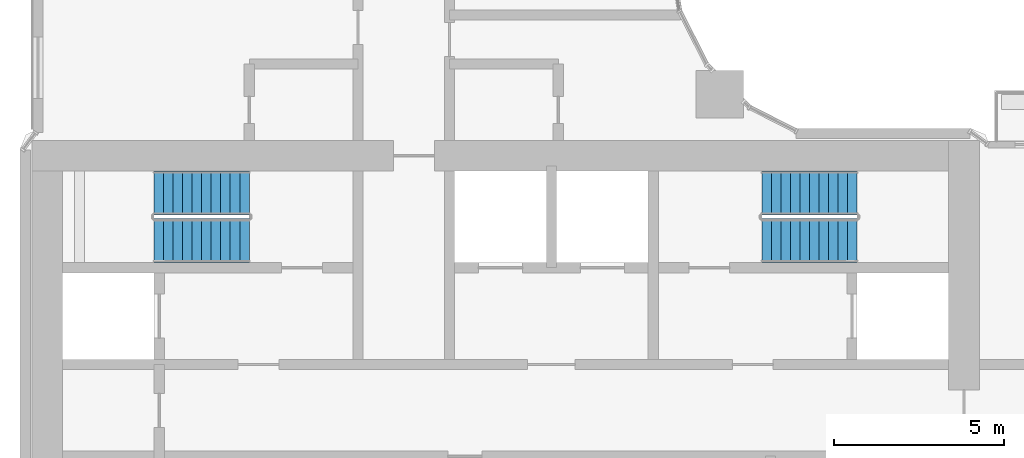
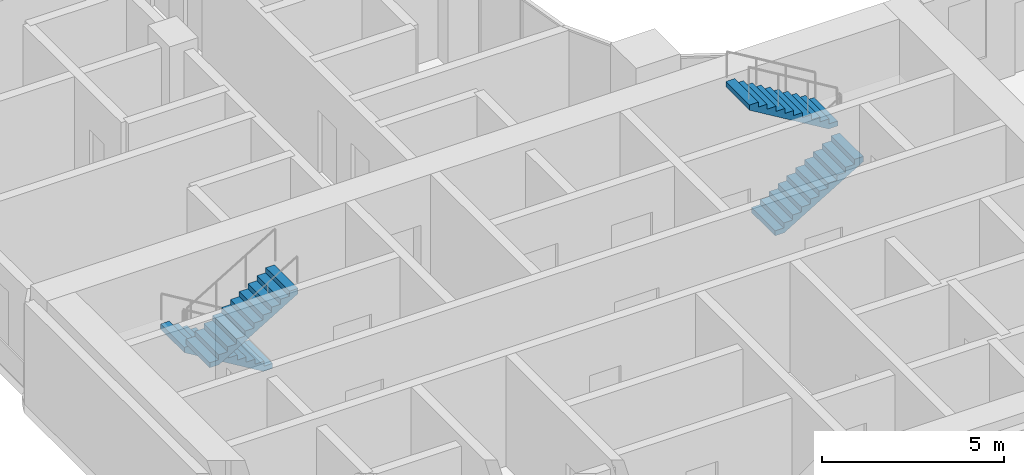
# One storey, part 22 of 30: 4 stair flights, 2 elements without a shape of their own.
"""IFC4 building model written with IfcOpenShell, lengths in metres."""

from ifc_helpers import new_model, si_unit, direction, frame, origin, place, context, subcontext, project, spatial, triangles, source, transform, mapped, material, type_object, element, aggregate, save


model = new_model("IFC4")

# Units and contexts
model_context = context("Model", 3, precision=1e-05, world=origin(), true_north=direction((0.0, 1.0)))
body_context = subcontext(model_context, "Body", "Model", "MODEL_VIEW")
ifc_project = project(units=[si_unit("LENGTHUNIT", "METRE"), si_unit("AREAUNIT", "SQUARE_METRE"), si_unit("VOLUMEUNIT", "CUBIC_METRE"), si_unit("PLANEANGLEUNIT", "RADIAN"), si_unit("MASSUNIT", "GRAM", prefix="KILO")], contexts=[model_context])

# Site, building, storey
site_placement = place(None, origin())
site = spatial("IfcSite", under=ifc_project, at=site_placement, CompositionType="ELEMENT")
building_placement = place(site_placement, origin())
building = spatial("IfcBuilding", under=site, at=building_placement, Name="Ogive Portal Towers", CompositionType="ELEMENT")
storey_placement = place(building_placement, frame((0.0, 0.0, 37.199951171875)))
storey = spatial("IfcBuildingStorey", under=building, at=storey_placement, Name="L07", CompositionType="ELEMENT", Elevation=37.199951171875)

# Stair, stair flights
ifc_material = material(Name="Concrete C40/50", Category="concrete")
stair_type = type_object("IfcStairType", Name="INT-STAIR", PredefinedType="HALF_TURN_STAIR", material=ifc_material)
stair_1_placement = place(storey_placement, origin())
stair_1 = element("IfcStair", 1, at=stair_1_placement, inside=storey, type_object=stair_type, Name="L07 Exit Stair ST-A1", PredefinedType="HALF_TURN_STAIR")
stair_flight_type = type_object("IfcStairFlightType", Name="INT-FLIGHT", PredefinedType="STRAIGHT", material=ifc_material)
shared_shape = source(origin(), body_context, "Body", "Tessellation", [
    triangles([(0.0, -0.650146484375, 0.0), (0.0, -0.376220703125, 0.0), (0.0, -0.192626953125, 0.0), (0.0, -0.081298828125, 0.0), (0.0, -0.024169921875, 0.0), (0.0, -0.003173828125, 0.0), (0.0, 0.0, 0.0), (0.0, 0.0029296875, 0.0), (0.0, 0.02392578125, 0.0), (0.0, 0.0810546875, 0.0), (0.0, 0.1923828125, 0.0), (0.0, 0.3759765625, 0.0), (0.0, 0.64990234375, 0.0), (0.0, -0.650146484375, 0.168212890625), (0.0, -0.376220703125, 0.168212890625), (0.0, -0.192626953125, 0.168212890625), (0.0, -0.081298828125, 0.168212890625), (0.0, -0.024169921875, 0.168212890625), (0.0, -0.003173828125, 0.168212890625), (0.0, 0.0, 0.168212890625), (0.0, 0.0029296875, 0.168212890625), (0.0, 0.02392578125, 0.168212890625), (0.0, 0.0810546875, 0.168212890625), (0.0, 0.1923828125, 0.168212890625), (0.0, 0.3759765625, 0.168212890625), (0.0, 0.64990234375, 0.168212890625), (0.280029296875, -0.650146484375, 0.168212890625), (0.280029296875, -0.376220703125, 0.168212890625), (0.280029296875, -0.192626953125, 0.168212890625), (0.280029296875, -0.081298828125, 0.168212890625), (0.280029296875, -0.024169921875, 0.168212890625), (0.280029296875, -0.003173828125, 0.168212890625), (0.280029296875, 0.0, 0.168212890625), (0.280029296875, 0.0029296875, 0.168212890625), (0.280029296875, 0.02392578125, 0.168212890625), (0.280029296875, 0.0810546875, 0.168212890625), (0.280029296875, 0.1923828125, 0.168212890625), (0.280029296875, 0.3759765625, 0.168212890625), (0.280029296875, 0.64990234375, 0.168212890625), (0.280029296875, -0.650146484375, 0.33642578125), (0.280029296875, -0.376220703125, 0.33642578125), (0.280029296875, -0.192626953125, 0.33642578125), (0.280029296875, -0.081298828125, 0.33642578125), (0.280029296875, -0.024169921875, 0.33642578125), (0.280029296875, -0.003173828125, 0.33642578125), (0.280029296875, 0.0, 0.33642578125), (0.280029296875, 0.0029296875, 0.33642578125), (0.280029296875, 0.02392578125, 0.33642578125), (0.280029296875, 0.0810546875, 0.33642578125), (0.280029296875, 0.1923828125, 0.33642578125), (0.280029296875, 0.3759765625, 0.33642578125), (0.280029296875, 0.64990234375, 0.33642578125), (0.56005859375, -0.650146484375, 0.33642578125), (0.56005859375, -0.376220703125, 0.33642578125), (0.56005859375, -0.192626953125, 0.33642578125), (0.56005859375, -0.081298828125, 0.33642578125), (0.56005859375, -0.024169921875, 0.33642578125), (0.56005859375, -0.003173828125, 0.33642578125), (0.56005859375, 0.0, 0.33642578125), (0.56005859375, 0.0029296875, 0.33642578125), (0.56005859375, 0.02392578125, 0.33642578125), (0.56005859375, 0.0810546875, 0.33642578125), (0.56005859375, 0.1923828125, 0.33642578125), (0.56005859375, 0.3759765625, 0.33642578125), (0.56005859375, 0.64990234375, 0.33642578125), (0.56005859375, -0.650146484375, 0.504638671875), (0.56005859375, -0.376220703125, 0.504638671875), (0.56005859375, -0.192626953125, 0.504638671875), (0.56005859375, -0.081298828125, 0.504638671875), (0.56005859375, -0.024169921875, 0.504638671875), (0.56005859375, -0.003173828125, 0.504638671875), (0.56005859375, 0.0, 0.504638671875), (0.56005859375, 0.0029296875, 0.504638671875), (0.56005859375, 0.02392578125, 0.504638671875), (0.56005859375, 0.0810546875, 0.504638671875), (0.56005859375, 0.1923828125, 0.504638671875), (0.56005859375, 0.3759765625, 0.504638671875), (0.56005859375, 0.64990234375, 0.504638671875), (0.840087890625, -0.650146484375, 0.504638671875), (0.840087890625, -0.376220703125, 0.504638671875), (0.840087890625, -0.192626953125, 0.504638671875), (0.840087890625, -0.081298828125, 0.504638671875), (0.840087890625, -0.024169921875, 0.504638671875), (0.840087890625, -0.003173828125, 0.504638671875), (0.840087890625, 0.0, 0.504638671875), (0.840087890625, 0.0029296875, 0.504638671875), (0.840087890625, 0.02392578125, 0.504638671875), (0.840087890625, 0.0810546875, 0.504638671875), (0.840087890625, 0.1923828125, 0.504638671875), (0.840087890625, 0.3759765625, 0.504638671875), (0.840087890625, 0.64990234375, 0.504638671875), (0.840087890625, -0.650146484375, 0.672607421875), (0.840087890625, -0.376220703125, 0.672607421875), (0.840087890625, -0.192626953125, 0.672607421875), (0.840087890625, -0.081298828125, 0.672607421875), (0.840087890625, -0.024169921875, 0.672607421875), (0.840087890625, -0.003173828125, 0.672607421875), (0.840087890625, 0.0, 0.672607421875), (0.840087890625, 0.0029296875, 0.672607421875), (0.840087890625, 0.02392578125, 0.672607421875), (0.840087890625, 0.0810546875, 0.672607421875), (0.840087890625, 0.1923828125, 0.672607421875), (0.840087890625, 0.3759765625, 0.672607421875), (0.840087890625, 0.64990234375, 0.672607421875), (1.1201171875, -0.650146484375, 0.672607421875), (1.1201171875, -0.376220703125, 0.672607421875), (1.1201171875, -0.192626953125, 0.672607421875), (1.1201171875, -0.081298828125, 0.672607421875), (1.1201171875, -0.024169921875, 0.672607421875), (1.1201171875, -0.003173828125, 0.672607421875), (1.1201171875, 0.0, 0.672607421875), (1.1201171875, 0.0029296875, 0.672607421875), (1.1201171875, 0.02392578125, 0.672607421875), (1.1201171875, 0.0810546875, 0.672607421875), (1.1201171875, 0.1923828125, 0.672607421875), (1.1201171875, 0.3759765625, 0.672607421875), (1.1201171875, 0.64990234375, 0.672607421875), (1.1201171875, -0.650146484375, 0.8408203125), (1.1201171875, -0.376220703125, 0.8408203125), (1.1201171875, -0.192626953125, 0.8408203125), (1.1201171875, -0.081298828125, 0.8408203125), (1.1201171875, -0.024169921875, 0.8408203125), (1.1201171875, -0.003173828125, 0.8408203125), (1.1201171875, 0.0, 0.8408203125), (1.1201171875, 0.0029296875, 0.8408203125), (1.1201171875, 0.02392578125, 0.8408203125), (1.1201171875, 0.0810546875, 0.8408203125), (1.1201171875, 0.1923828125, 0.8408203125), (1.1201171875, 0.3759765625, 0.8408203125), (1.1201171875, 0.64990234375, 0.8408203125), (1.39990234375, -0.650146484375, 0.8408203125), (1.39990234375, -0.376220703125, 0.8408203125), (1.39990234375, -0.192626953125, 0.8408203125), (1.39990234375, -0.081298828125, 0.8408203125), (1.39990234375, -0.024169921875, 0.8408203125), (1.39990234375, -0.003173828125, 0.8408203125), (1.39990234375, 0.0, 0.8408203125), (1.39990234375, 0.0029296875, 0.8408203125), (1.39990234375, 0.02392578125, 0.8408203125), (1.39990234375, 0.0810546875, 0.8408203125), (1.39990234375, 0.1923828125, 0.8408203125), (1.39990234375, 0.3759765625, 0.8408203125), (1.39990234375, 0.64990234375, 0.8408203125), (1.39990234375, -0.650146484375, 1.009033203125), (1.39990234375, -0.376220703125, 1.009033203125), (1.39990234375, -0.192626953125, 1.009033203125), (1.39990234375, -0.081298828125, 1.009033203125), (1.39990234375, -0.024169921875, 1.009033203125), (1.39990234375, -0.003173828125, 1.009033203125), (1.39990234375, 0.0, 1.009033203125), (1.39990234375, 0.0029296875, 1.009033203125), (1.39990234375, 0.02392578125, 1.009033203125), (1.39990234375, 0.0810546875, 1.009033203125), (1.39990234375, 0.1923828125, 1.009033203125), (1.39990234375, 0.3759765625, 1.009033203125), (1.39990234375, 0.64990234375, 1.009033203125), (1.679931640625, -0.650146484375, 1.009033203125), (1.679931640625, -0.376220703125, 1.009033203125), (1.679931640625, -0.192626953125, 1.009033203125), (1.679931640625, -0.081298828125, 1.009033203125), (1.679931640625, -0.024169921875, 1.009033203125), (1.679931640625, -0.003173828125, 1.009033203125), (1.679931640625, 0.0, 1.009033203125), (1.679931640625, 0.0029296875, 1.009033203125), (1.679931640625, 0.02392578125, 1.009033203125), (1.679931640625, 0.0810546875, 1.009033203125), (1.679931640625, 0.1923828125, 1.009033203125), (1.679931640625, 0.3759765625, 1.009033203125), (1.679931640625, 0.64990234375, 1.009033203125), (1.679931640625, -0.650146484375, 1.17724609375), (1.679931640625, -0.376220703125, 1.17724609375), (1.679931640625, -0.192626953125, 1.17724609375), (1.679931640625, -0.081298828125, 1.17724609375), (1.679931640625, -0.024169921875, 1.17724609375), (1.679931640625, -0.003173828125, 1.17724609375), (1.679931640625, 0.0, 1.17724609375), (1.679931640625, 0.0029296875, 1.17724609375), (1.679931640625, 0.02392578125, 1.17724609375), (1.679931640625, 0.0810546875, 1.17724609375), (1.679931640625, 0.1923828125, 1.17724609375), (1.679931640625, 0.3759765625, 1.17724609375), (1.679931640625, 0.64990234375, 1.17724609375), (1.9599609375, -0.650146484375, 1.17724609375), (1.9599609375, -0.376220703125, 1.17724609375), (1.9599609375, -0.192626953125, 1.17724609375), (1.9599609375, -0.081298828125, 1.17724609375), (1.9599609375, -0.024169921875, 1.17724609375), (1.9599609375, -0.003173828125, 1.17724609375), (1.9599609375, 0.0, 1.17724609375), (1.9599609375, 0.0029296875, 1.17724609375), (1.9599609375, 0.02392578125, 1.17724609375), (1.9599609375, 0.0810546875, 1.17724609375), (1.9599609375, 0.1923828125, 1.17724609375), (1.9599609375, 0.3759765625, 1.17724609375), (1.9599609375, 0.64990234375, 1.17724609375), (1.9599609375, -0.650146484375, 1.345458984375), (1.9599609375, -0.376220703125, 1.345458984375), (1.9599609375, -0.192626953125, 1.345458984375), (1.9599609375, -0.081298828125, 1.345458984375), (1.9599609375, -0.024169921875, 1.345458984375), (1.9599609375, -0.003173828125, 1.345458984375), (1.9599609375, 0.0, 1.345458984375), (1.9599609375, 0.0029296875, 1.345458984375), (1.9599609375, 0.02392578125, 1.345458984375), (1.9599609375, 0.0810546875, 1.345458984375), (1.9599609375, 0.1923828125, 1.345458984375), (1.9599609375, 0.3759765625, 1.345458984375), (1.9599609375, 0.64990234375, 1.345458984375), (2.239990234375, -0.650146484375, 1.345458984375), (2.239990234375, -0.376220703125, 1.345458984375), (2.239990234375, -0.192626953125, 1.345458984375), (2.239990234375, -0.081298828125, 1.345458984375), (2.239990234375, -0.024169921875, 1.345458984375), (2.239990234375, -0.003173828125, 1.345458984375), (2.239990234375, 0.0, 1.345458984375), (2.239990234375, 0.0029296875, 1.345458984375), (2.239990234375, 0.02392578125, 1.345458984375), (2.239990234375, 0.0810546875, 1.345458984375), (2.239990234375, 0.1923828125, 1.345458984375), (2.239990234375, 0.3759765625, 1.345458984375), (2.239990234375, 0.64990234375, 1.345458984375), (2.239990234375, -0.650146484375, 1.513671875), (2.239990234375, -0.376220703125, 1.513671875), (2.239990234375, -0.192626953125, 1.513671875), (2.239990234375, -0.081298828125, 1.513671875), (2.239990234375, -0.024169921875, 1.513671875), (2.239990234375, -0.003173828125, 1.513671875), (2.239990234375, 0.0, 1.513671875), (2.239990234375, 0.0029296875, 1.513671875), (2.239990234375, 0.02392578125, 1.513671875), (2.239990234375, 0.0810546875, 1.513671875), (2.239990234375, 0.1923828125, 1.513671875), (2.239990234375, 0.3759765625, 1.513671875), (2.239990234375, 0.64990234375, 1.513671875), (2.52001953125, -0.650146484375, 1.513671875), (2.52001953125, -0.376220703125, 1.513671875), (2.52001953125, -0.192626953125, 1.513671875), (2.52001953125, -0.081298828125, 1.513671875), (2.52001953125, -0.024169921875, 1.513671875), (2.52001953125, -0.003173828125, 1.513671875), (2.52001953125, 0.0, 1.513671875), (2.52001953125, 0.0029296875, 1.513671875), (2.52001953125, 0.02392578125, 1.513671875), (2.52001953125, 0.0810546875, 1.513671875), (2.52001953125, 0.1923828125, 1.513671875), (2.52001953125, 0.3759765625, 1.513671875), (2.52001953125, 0.64990234375, 1.513671875), (2.52001953125, -0.650146484375, 1.681884765625), (2.52001953125, -0.376220703125, 1.681884765625), (2.52001953125, -0.192626953125, 1.681884765625), (2.52001953125, -0.081298828125, 1.681884765625), (2.52001953125, -0.024169921875, 1.681884765625), (2.52001953125, -0.003173828125, 1.681884765625), (2.52001953125, 0.0, 1.681884765625), (2.52001953125, 0.0029296875, 1.681884765625), (2.52001953125, 0.02392578125, 1.681884765625), (2.52001953125, 0.0810546875, 1.681884765625), (2.52001953125, 0.1923828125, 1.681884765625), (2.52001953125, 0.3759765625, 1.681884765625), (2.52001953125, 0.64990234375, 1.681884765625), (2.800048828125, -0.650146484375, 1.681884765625), (2.800048828125, -0.376220703125, 1.681884765625), (2.800048828125, -0.192626953125, 1.681884765625), (2.800048828125, -0.081298828125, 1.681884765625), (2.800048828125, -0.024169921875, 1.681884765625), (2.800048828125, -0.003173828125, 1.681884765625), (2.800048828125, 0.0, 1.681884765625), (2.800048828125, 0.0029296875, 1.681884765625), (2.800048828125, 0.02392578125, 1.681884765625), (2.800048828125, 0.0810546875, 1.681884765625), (2.800048828125, 0.1923828125, 1.681884765625), (2.800048828125, 0.3759765625, 1.681884765625), (2.800048828125, 0.64990234375, 1.681884765625), (2.800048828125, -0.650146484375, 1.5068359375), (2.800048828125, -0.376220703125, 1.5068359375), (2.800048828125, -0.192626953125, 1.5068359375), (2.800048828125, -0.081298828125, 1.5068359375), (2.800048828125, -0.024169921875, 1.5068359375), (2.800048828125, -0.003173828125, 1.5068359375), (2.800048828125, 0.0, 1.5068359375), (2.800048828125, 0.0029296875, 1.5068359375), (2.800048828125, 0.02392578125, 1.5068359375), (2.800048828125, 0.0810546875, 1.5068359375), (2.800048828125, 0.1923828125, 1.5068359375), (2.800048828125, 0.3759765625, 1.5068359375), (2.800048828125, 0.64990234375, 1.5068359375), (0.291015625, -0.650146484375, 0.0), (0.291015625, -0.376220703125, 0.0), (0.291015625, -0.192626953125, 0.0), (0.291015625, -0.081298828125, 0.0), (0.291015625, -0.024169921875, 0.0), (0.291015625, -0.003173828125, 0.0), (0.291015625, 0.0, 0.0), (0.291015625, 0.0029296875, 0.0), (0.291015625, 0.02392578125, 0.0), (0.291015625, 0.0810546875, 0.0), (0.291015625, 0.1923828125, 0.0), (0.291015625, 0.3759765625, 0.0), (0.291015625, 0.64990234375, 0.0)], [[1, 14, 15], [1, 15, 2], [2, 15, 16], [2, 16, 3], [3, 16, 17], [3, 17, 4], [4, 17, 18], [4, 18, 5], [5, 18, 19], [5, 19, 6], [6, 19, 20], [6, 20, 7], [7, 20, 21], [7, 21, 8], [8, 21, 22], [8, 22, 9], [9, 22, 23], [9, 23, 10], [10, 23, 24], [10, 24, 11], [11, 24, 25], [11, 25, 12], [12, 25, 26], [12, 26, 13], [14, 27, 28], [14, 28, 15], [15, 28, 29], [15, 29, 16], [16, 29, 30], [16, 30, 17], [17, 30, 31], [17, 31, 18], [18, 31, 32], [18, 32, 19], [19, 32, 33], [19, 33, 20], [20, 33, 34], [20, 34, 21], [21, 34, 35], [21, 35, 22], [22, 35, 36], [22, 36, 23], [23, 36, 37], [23, 37, 24], [24, 37, 38], [24, 38, 25], [25, 38, 39], [25, 39, 26], [27, 40, 41], [27, 41, 28], [28, 41, 42], [28, 42, 29], [29, 42, 43], [29, 43, 30], [30, 43, 44], [30, 44, 31], [31, 44, 45], [31, 45, 32], [32, 45, 46], [32, 46, 33], [33, 46, 47], [33, 47, 34], [34, 47, 48], [34, 48, 35], [35, 48, 49], [35, 49, 36], [36, 49, 50], [36, 50, 37], [37, 50, 51], [37, 51, 38], [38, 51, 52], [38, 52, 39], [40, 53, 54], [40, 54, 41], [41, 54, 55], [41, 55, 42], [42, 55, 56], [42, 56, 43], [43, 56, 57], [43, 57, 44], [44, 57, 58], [44, 58, 45], [45, 58, 59], [45, 59, 46], [46, 59, 60], [46, 60, 47], [47, 60, 61], [47, 61, 48], [48, 61, 62], [48, 62, 49], [49, 62, 63], [49, 63, 50], [50, 63, 64], [50, 64, 51], [51, 64, 65], [51, 65, 52], [53, 66, 67], [53, 67, 54], [54, 67, 68], [54, 68, 55], [55, 68, 69], [55, 69, 56], [56, 69, 70], [56, 70, 57], [57, 70, 71], [57, 71, 58], [58, 71, 72], [58, 72, 59], [59, 72, 73], [59, 73, 60], [60, 73, 74], [60, 74, 61], [61, 74, 75], [61, 75, 62], [62, 75, 76], [62, 76, 63], [63, 76, 77], [63, 77, 64], [64, 77, 78], [64, 78, 65], [66, 79, 80], [66, 80, 67], [67, 80, 81], [67, 81, 68], [68, 81, 82], [68, 82, 69], [69, 82, 83], [69, 83, 70], [70, 83, 84], [70, 84, 71], [71, 84, 85], [71, 85, 72], [72, 85, 86], [72, 86, 73], [73, 86, 87], [73, 87, 74], [74, 87, 88], [74, 88, 75], [75, 88, 89], [75, 89, 76], [76, 89, 90], [76, 90, 77], [77, 90, 91], [77, 91, 78], [79, 92, 93], [79, 93, 80], [80, 93, 94], [80, 94, 81], [81, 94, 95], [81, 95, 82], [82, 95, 96], [82, 96, 83], [83, 96, 97], [83, 97, 84], [84, 97, 98], [84, 98, 85], [85, 98, 99], [85, 99, 86], [86, 99, 100], [86, 100, 87], [87, 100, 101], [87, 101, 88], [88, 101, 102], [88, 102, 89], [89, 102, 103], [89, 103, 90], [90, 103, 104], [90, 104, 91], [92, 105, 106], [92, 106, 93], [93, 106, 107], [93, 107, 94], [94, 107, 108], [94, 108, 95], [95, 108, 109], [95, 109, 96], [96, 109, 110], [96, 110, 97], [97, 110, 111], [97, 111, 98], [98, 111, 112], [98, 112, 99], [99, 112, 113], [99, 113, 100], [100, 113, 114], [100, 114, 101], [101, 114, 115], [101, 115, 102], [102, 115, 116], [102, 116, 103], [103, 116, 117], [103, 117, 104], [105, 118, 119], [105, 119, 106], [106, 119, 120], [106, 120, 107], [107, 120, 121], [107, 121, 108], [108, 121, 122], [108, 122, 109], [109, 122, 123], [109, 123, 110], [110, 123, 124], [110, 124, 111], [111, 124, 125], [111, 125, 112], [112, 125, 126], [112, 126, 113], [113, 126, 127], [113, 127, 114], [114, 127, 128], [114, 128, 115], [115, 128, 129], [115, 129, 116], [116, 129, 130], [116, 130, 117], [118, 131, 132], [118, 132, 119], [119, 132, 133], [119, 133, 120], [120, 133, 134], [120, 134, 121], [121, 134, 135], [121, 135, 122], [122, 135, 136], [122, 136, 123], [123, 136, 137], [123, 137, 124], [124, 137, 138], [124, 138, 125], [125, 138, 139], [125, 139, 126], [126, 139, 140], [126, 140, 127], [127, 140, 141], [127, 141, 128], [128, 141, 142], [128, 142, 129], [129, 142, 143], [129, 143, 130], [131, 144, 145], [131, 145, 132], [132, 145, 146], [132, 146, 133], [133, 146, 147], [133, 147, 134], [134, 147, 148], [134, 148, 135], [135, 148, 149], [135, 149, 136], [136, 149, 150], [136, 150, 137], [137, 150, 151], [137, 151, 138], [138, 151, 152], [138, 152, 139], [139, 152, 153], [139, 153, 140], [140, 153, 154], [140, 154, 141], [141, 154, 155], [141, 155, 142], [142, 155, 156], [142, 156, 143], [144, 157, 158], [144, 158, 145], [145, 158, 159], [145, 159, 146], [146, 159, 160], [146, 160, 147], [147, 160, 161], [147, 161, 148], [148, 161, 162], [148, 162, 149], [149, 162, 163], [149, 163, 150], [150, 163, 164], [150, 164, 151], [151, 164, 165], [151, 165, 152], [152, 165, 166], [152, 166, 153], [153, 166, 167], [153, 167, 154], [154, 167, 168], [154, 168, 155], [155, 168, 169], [155, 169, 156], [157, 170, 171], [157, 171, 158], [158, 171, 172], [158, 172, 159], [159, 172, 173], [159, 173, 160], [160, 173, 174], [160, 174, 161], [161, 174, 175], [161, 175, 162], [162, 175, 176], [162, 176, 163], [163, 176, 177], [163, 177, 164], [164, 177, 178], [164, 178, 165], [165, 178, 179], [165, 179, 166], [166, 179, 180], [166, 180, 167], [167, 180, 181], [167, 181, 168], [168, 181, 182], [168, 182, 169], [170, 183, 184], [170, 184, 171], [171, 184, 185], [171, 185, 172], [172, 185, 186], [172, 186, 173], [173, 186, 187], [173, 187, 174], [174, 187, 188], [174, 188, 175], [175, 188, 189], [175, 189, 176], [176, 189, 190], [176, 190, 177], [177, 190, 191], [177, 191, 178], [178, 191, 192], [178, 192, 179], [179, 192, 193], [179, 193, 180], [180, 193, 194], [180, 194, 181], [181, 194, 195], [181, 195, 182], [183, 196, 197], [183, 197, 184], [184, 197, 198], [184, 198, 185], [185, 198, 199], [185, 199, 186], [186, 199, 200], [186, 200, 187], [187, 200, 201], [187, 201, 188], [188, 201, 202], [188, 202, 189], [189, 202, 203], [189, 203, 190], [190, 203, 204], [190, 204, 191], [191, 204, 205], [191, 205, 192], [192, 205, 206], [192, 206, 193], [193, 206, 207], [193, 207, 194], [194, 207, 208], [194, 208, 195], [196, 209, 210], [196, 210, 197], [197, 210, 211], [197, 211, 198], [198, 211, 212], [198, 212, 199], [199, 212, 213], [199, 213, 200], [200, 213, 214], [200, 214, 201], [201, 214, 215], [201, 215, 202], [202, 215, 216], [202, 216, 203], [203, 216, 217], [203, 217, 204], [204, 217, 218], [204, 218, 205], [205, 218, 219], [205, 219, 206], [206, 219, 220], [206, 220, 207], [207, 220, 221], [207, 221, 208], [209, 222, 223], [209, 223, 210], [210, 223, 224], [210, 224, 211], [211, 224, 225], [211, 225, 212], [212, 225, 226], [212, 226, 213], [213, 226, 227], [213, 227, 214], [214, 227, 228], [214, 228, 215], [215, 228, 229], [215, 229, 216], [216, 229, 230], [216, 230, 217], [217, 230, 231], [217, 231, 218], [218, 231, 232], [218, 232, 219], [219, 232, 233], [219, 233, 220], [220, 233, 234], [220, 234, 221], [222, 235, 236], [222, 236, 223], [223, 236, 237], [223, 237, 224], [224, 237, 238], [224, 238, 225], [225, 238, 239], [225, 239, 226], [226, 239, 240], [226, 240, 227], [227, 240, 241], [227, 241, 228], [228, 241, 242], [228, 242, 229], [229, 242, 243], [229, 243, 230], [230, 243, 244], [230, 244, 231], [231, 244, 245], [231, 245, 232], [232, 245, 246], [232, 246, 233], [233, 246, 247], [233, 247, 234], [235, 248, 249], [235, 249, 236], [236, 249, 250], [236, 250, 237], [237, 250, 251], [237, 251, 238], [238, 251, 252], [238, 252, 239], [239, 252, 253], [239, 253, 240], [240, 253, 254], [240, 254, 241], [241, 254, 255], [241, 255, 242], [242, 255, 256], [242, 256, 243], [243, 256, 257], [243, 257, 244], [244, 257, 258], [244, 258, 245], [245, 258, 259], [245, 259, 246], [246, 259, 260], [246, 260, 247], [248, 261, 262], [248, 262, 249], [249, 262, 263], [249, 263, 250], [250, 263, 264], [250, 264, 251], [251, 264, 265], [251, 265, 252], [252, 265, 266], [252, 266, 253], [253, 266, 267], [253, 267, 254], [254, 267, 268], [254, 268, 255], [255, 268, 269], [255, 269, 256], [256, 269, 270], [256, 270, 257], [257, 270, 271], [257, 271, 258], [258, 271, 272], [258, 272, 259], [259, 272, 273], [259, 273, 260], [261, 274, 275], [261, 275, 262], [262, 275, 276], [262, 276, 263], [263, 276, 277], [263, 277, 264], [264, 277, 278], [264, 278, 265], [265, 278, 279], [265, 279, 266], [266, 279, 280], [266, 280, 267], [267, 280, 281], [267, 281, 268], [268, 281, 282], [268, 282, 269], [269, 282, 283], [269, 283, 270], [270, 283, 284], [270, 284, 271], [271, 284, 285], [271, 285, 272], [272, 285, 286], [272, 286, 273], [274, 287, 288], [274, 288, 275], [275, 288, 289], [275, 289, 276], [276, 289, 290], [276, 290, 277], [277, 290, 291], [277, 291, 278], [278, 291, 292], [278, 292, 279], [279, 292, 293], [279, 293, 280], [280, 293, 294], [280, 294, 281], [281, 294, 295], [281, 295, 282], [282, 295, 296], [282, 296, 283], [283, 296, 297], [283, 297, 284], [284, 297, 298], [284, 298, 285], [285, 298, 299], [285, 299, 286], [287, 1, 2], [287, 2, 288], [288, 2, 3], [288, 3, 289], [289, 3, 4], [289, 4, 290], [290, 4, 5], [290, 5, 291], [291, 5, 6], [291, 6, 292], [292, 6, 7], [292, 7, 293], [293, 7, 8], [293, 8, 294], [294, 8, 9], [294, 9, 295], [295, 9, 10], [295, 10, 296], [296, 10, 11], [296, 11, 297], [297, 11, 12], [297, 12, 298], [298, 12, 13], [298, 13, 299], [1, 287, 274], [13, 286, 299], [274, 261, 248], [286, 260, 273], [274, 248, 235], [286, 247, 260], [274, 235, 222], [286, 234, 247], [274, 222, 209], [286, 221, 234], [209, 196, 183], [221, 195, 208], [274, 209, 183], [286, 195, 221], [183, 170, 157], [195, 169, 182], [274, 183, 157], [286, 169, 195], [157, 144, 131], [169, 143, 156], [274, 157, 131], [286, 143, 169], [131, 118, 105], [143, 117, 130], [274, 131, 105], [286, 117, 143], [1, 274, 105], [13, 117, 286], [105, 92, 79], [117, 91, 104], [79, 66, 53], [91, 65, 78], [105, 79, 53], [117, 65, 91], [53, 40, 27], [65, 39, 52], [105, 53, 27], [117, 39, 65], [1, 105, 27], [13, 39, 117], [27, 14, 1], [39, 13, 26]], closed=True),
])
stair_flight_1_placement = place(storey_placement, frame((37.449951171875, 38.39990234375, 0.0), z_axis=(0.0, 0.0, 1.0), x_axis=(-1.0, 0.0, 0.0)))
stair_flight_1 = element("IfcStairFlight", 2, at=stair_flight_1_placement, type_object=stair_flight_type, Name="ST-A1 flight 1", NumberOfRisers=11, NumberOfTreads=10, PredefinedType="STRAIGHT", RiserHeight=0.168181818, TreadLength=0.28, context=body_context, shape_type="MappedRepresentation", body=[
    mapped(shared_shape, transform((0.0, 0.0, 0.0), scale=1.0)),
])
stair_flight_2_placement = place(storey_placement, frame((34.64990234375, 37.0, 1.85009765625), z_axis=(0.0, 0.0, 1.0), x_axis=(1.0, 0.0, 0.0)))
stair_flight_2 = element("IfcStairFlight", 3, at=stair_flight_2_placement, type_object=stair_flight_type, Name="ST-A1 flight 2", NumberOfRisers=11, NumberOfTreads=10, PredefinedType="STRAIGHT", RiserHeight=0.168181818, TreadLength=0.28, context=body_context, shape_type="MappedRepresentation", body=[
    mapped(shared_shape, transform((0.0, 0.0, 0.0), scale=1.0)),
])
aggregate(stair_1, [stair_flight_1, stair_flight_2])

stair_2_placement = place(storey_placement, origin())
stair_2 = element("IfcStair", 4, at=stair_2_placement, inside=storey, type_object=stair_type, Name="L07 Exit Stair ST-A2", PredefinedType="HALF_TURN_STAIR")
stair_flight_3_placement = place(storey_placement, frame((52.550048828125, 37.0, 0.0), z_axis=(0.0, 0.0, 1.0), x_axis=(1.0, 0.0, 0.0)))
stair_flight_3 = element("IfcStairFlight", 5, at=stair_flight_3_placement, type_object=stair_flight_type, Name="ST-A2 flight 1", NumberOfRisers=11, NumberOfTreads=10, PredefinedType="STRAIGHT", RiserHeight=0.168181818, TreadLength=0.28, context=body_context, shape_type="MappedRepresentation", body=[
    mapped(shared_shape, transform((0.0, 0.0, 0.0), scale=1.0)),
])
stair_flight_4_placement = place(storey_placement, frame((55.35009765625, 38.39990234375, 1.85009765625), z_axis=(0.0, 0.0, 1.0), x_axis=(-1.0, 0.0, 0.0)))
stair_flight_4 = element("IfcStairFlight", 6, at=stair_flight_4_placement, type_object=stair_flight_type, Name="ST-A2 flight 2", NumberOfRisers=11, NumberOfTreads=10, PredefinedType="STRAIGHT", RiserHeight=0.168181818, TreadLength=0.28, context=body_context, shape_type="MappedRepresentation", body=[
    mapped(shared_shape, transform((0.0, 0.0, 0.0), scale=1.0)),
])
aggregate(stair_2, [stair_flight_3, stair_flight_4])

save(model, "model.ifc")
